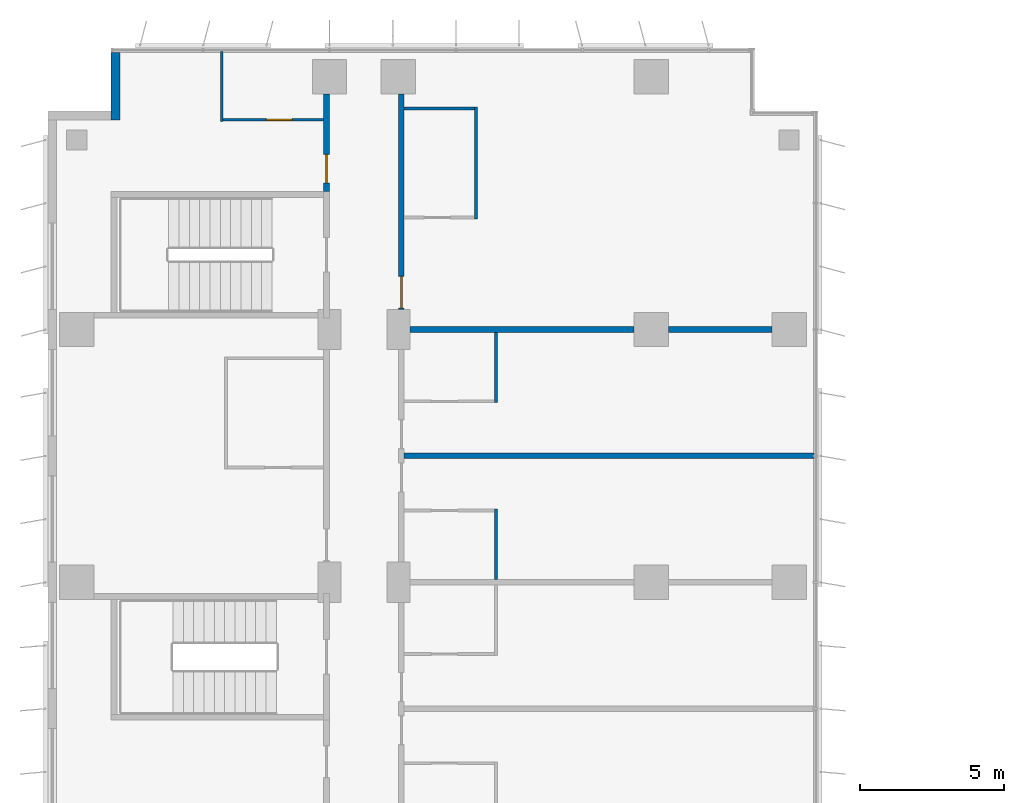
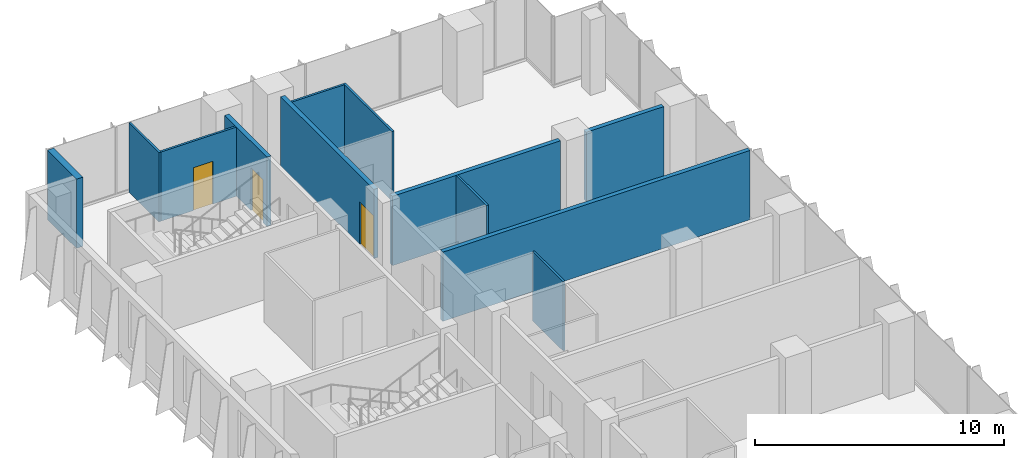
# One storey, part 17 of 22: 12 walls, 3 doors, 3 openings.
"""IFC4 building model written with IfcOpenShell, lengths in metres."""

from ifc_helpers import new_model, si_unit, direction, frame, frame_2d, origin, place, context, subcontext, project, spatial, rectangle, extrude, material, layer, layer_set, type_object, element, fill, save


model = new_model("IFC4")

# Units and contexts
model_context = context("Model", 3, precision=1e-05, world=origin(), true_north=direction((0.0, 1.0)))
body_context = subcontext(model_context, "Body", "Model", "MODEL_VIEW")
ifc_project = project(units=[si_unit("LENGTHUNIT", "METRE"), si_unit("AREAUNIT", "SQUARE_METRE"), si_unit("VOLUMEUNIT", "CUBIC_METRE"), si_unit("PLANEANGLEUNIT", "RADIAN"), si_unit("MASSUNIT", "GRAM", prefix="KILO")], contexts=[model_context])

# Site, building, storey
site_placement = place(None, origin())
site = spatial("IfcSite", under=ifc_project, at=site_placement, CompositionType="ELEMENT")
building_placement = place(site_placement, origin())
building = spatial("IfcBuilding", under=site, at=building_placement, Name="Kemantara Hotel Tower", CompositionType="ELEMENT")
storey_placement = place(building_placement, frame((0.0, 0.0, 90.800048828125)))
storey = spatial("IfcBuildingStorey", under=building, at=storey_placement, Name="L21", CompositionType="ELEMENT", Elevation=90.800048828125)

# Wall
ifc_material_1 = material(Name="Bronze anodised aluminium cladding on insulated steel stud wall", Category="steel")
ifc_layer_1 = layer(ifc_material_1, 0.300048828125)
ifc_layer_set_1 = layer_set([ifc_layer_1], Name="Bronze anodised aluminium cladding on insulated steel stud wall")
wall_type_1 = type_object("IfcWallType", Name="BRONZE METAL-CLAD EXTERNAL WALL 300", PredefinedType="STANDARD", material=ifc_layer_set_1)
wall_1_placement = place(storey_placement, frame((2.35009765625, 81.050048828125, 0.0), z_axis=(0.0, 0.0, 1.0), x_axis=(0.0, -1.0, 0.0)))
element("IfcWall", 1, at=wall_1_placement, inside=storey, type_object=wall_type_1, Name="EXTERNAL WALL L21 T2-R02", PredefinedType="STANDARD", context=body_context, shape_type="SweptSolid", body=[
    extrude(rectangle(XDim=2.35009765625, YDim=0.300048828125, at=frame_2d((1.175048828125, 0.0))), origin(), (0.0, 0.0, 1.0), 3.39990234375),
])

# Wall, opening, door
ifc_material_2 = material(Name="Gypsum board partition, steel studs and mineral wool, 200 mm", Category="steel")
ifc_layer_2 = layer(ifc_material_2, 0.199951171875)
ifc_layer_set_2 = layer_set([ifc_layer_2], Name="Gypsum board partition, steel studs and mineral wool, 200 mm")
wall_type_2 = type_object("IfcWallType", Name="CORRIDOR WALL 200", PredefinedType="PARTITIONING", material=ifc_layer_set_2)
wall_2_placement = place(storey_placement, frame((9.699951171875, 76.199951171875, 0.0), z_axis=(0.0, 0.0, 1.0), x_axis=(0.0, 1.0, 0.0)))
wall_2 = element("IfcWall", 2, at=wall_2_placement, inside=storey, type_object=wall_type_2, Name="CORRIDOR WALL 200 023", PredefinedType="PARTITIONING", context=body_context, shape_type="SweptSolid", body=[
    extrude(rectangle(XDim=3.39990234375, YDim=0.199951171875, at=frame_2d((1.699951171875, 0.0))), origin(), (0.0, 0.0, 1.0), 3.39990234375),
])
opening_1_placement = place(wall_2_placement, frame((0.300048828125, 0.0, 0.0)))
opening_1 = element("IfcOpeningElement", 3, at=opening_1_placement, cuts=wall_2, Name="Opening F08-031", PredefinedType="OPENING", context=body_context, shape_type="SweptSolid", body=[
    extrude(rectangle(XDim=1.0, YDim=2.10009765625, at=frame_2d((0.5, 1.050048828125))), frame((0.0, 0.10986328125, 0.0), z_axis=(0.0, -1.0, 0.0), x_axis=(1.0, 0.0, 0.0)), (0.0, 0.0, 1.0), 0.219970703125),
])
ifc_material_3 = material(Name="Hardwood veneer door leaf with steel frame", Category="steel")
door_type_1 = type_object("IfcDoorType", Name="GUEST ROOM DOOR 1000 X 2100 FD30S", OperationType="NOTDEFINED", PredefinedType="DOOR", material=ifc_material_3)
door_1_placement = place(opening_1_placement, origin())
door_1 = element("IfcDoor", 4, at=door_1_placement, inside=storey, type_object=door_type_1, Name="GUEST ROOM DOOR F08-031", OperationType="SINGLE_SWING_LEFT", OverallHeight=2.10009765625, OverallWidth=1.0, PredefinedType="DOOR", context=body_context, shape_type="SweptSolid", body=[
    extrude(rectangle(XDim=1.0, YDim=2.10009765625, at=frame_2d((0.5, 1.050048828125))), frame((0.0, 0.02490234375, 0.0), z_axis=(0.0, -1.0, 0.0), x_axis=(1.0, 0.0, 0.0)), (0.0, 0.0, 1.0), 0.050048828125),
])
fill(opening_1, door_1)

wall_3_placement = place(storey_placement, frame((12.300048828125, 79.599853515625, 0.0), z_axis=(0.0, 0.0, 1.0), x_axis=(0.0, -1.0, 0.0)))
wall_3 = element("IfcWall", 5, at=wall_3_placement, inside=storey, type_object=wall_type_2, Name="CORRIDOR WALL 200 036", PredefinedType="PARTITIONING", context=body_context, shape_type="SweptSolid", body=[
    extrude(rectangle(XDim=7.499755859375, YDim=0.199951171875, at=frame_2d((3.75, 0.0))), origin(), (0.0, 0.0, 1.0), 3.39990234375),
])
opening_2_placement = place(wall_3_placement, frame((6.349853515625, 0.0, 0.0)))
opening_2 = element("IfcOpeningElement", 6, at=opening_2_placement, cuts=wall_3, Name="Opening F08-049", PredefinedType="OPENING", context=body_context, shape_type="SweptSolid", body=[
    extrude(rectangle(XDim=1.10009765625, YDim=2.10009765625, at=frame_2d((0.550048828125, 1.050048828125))), frame((0.0, 0.10986328125, 0.0), z_axis=(0.0, -1.0, 0.0), x_axis=(1.0, 0.0, 0.0)), (0.0, 0.0, 1.0), 0.219970703125),
])
door_type_2 = type_object("IfcDoorType", Name="SUITE ENTRANCE DOOR 1100 X 2100 FD30S", OperationType="NOTDEFINED", PredefinedType="DOOR", material=ifc_material_3)
door_2_placement = place(opening_2_placement, origin())
door_2 = element("IfcDoor", 7, at=door_2_placement, inside=storey, type_object=door_type_2, Name="SUITE ENTRANCE DOOR F08-049", OperationType="SINGLE_SWING_RIGHT", OverallHeight=2.10009765625, OverallWidth=1.10009765625, PredefinedType="DOOR", context=body_context, shape_type="SweptSolid", body=[
    extrude(rectangle(XDim=1.10009765625, YDim=2.10009765625, at=frame_2d((0.550048828125, 1.050048828125))), frame((0.0, 0.02490234375, 0.0), z_axis=(0.0, -1.0, 0.0), x_axis=(1.0, 0.0, 0.0)), (0.0, 0.0, 1.0), 0.050048828125),
])
fill(opening_2, door_2)

# Walls
ifc_layer_3 = layer(ifc_material_2, 0.199951171875)
ifc_layer_set_3 = layer_set([ifc_layer_3], Name="Gypsum board partition, steel studs and mineral wool, 200 mm")
wall_type_3 = type_object("IfcWallType", Name="GUEST ROOM PARTY WALL 200", PredefinedType="PARTITIONING", material=ifc_layer_set_3)
wall_4_placement = place(storey_placement, frame((12.39990234375, 67.0, 0.0), z_axis=(0.0, 0.0, 1.0), x_axis=(1.0, 0.0, 0.0)))
element("IfcWall", 8, at=wall_4_placement, inside=storey, type_object=wall_type_3, Name="GUEST ROOM PARTY WALL 200 047", PredefinedType="PARTITIONING", context=body_context, shape_type="SweptSolid", body=[
    extrude(rectangle(XDim=14.27001953125, YDim=0.199951171875, at=frame_2d((7.135009765625, 0.0))), origin(), (0.0, 0.0, 1.0), 3.39990234375),
])
wall_5_placement = place(storey_placement, frame((12.60009765625, 71.39990234375, 0.0), z_axis=(0.0, 0.0, 1.0), x_axis=(1.0, 0.0, 0.0)))
element("IfcWall", 9, at=wall_5_placement, inside=storey, type_object=wall_type_3, Name="GUEST ROOM PARTY WALL 200 048", PredefinedType="PARTITIONING", context=body_context, shape_type="SweptSolid", body=[
    extrude(rectangle(XDim=7.7998046875, YDim=0.199951171875, at=frame_2d((3.89990234375, 0.0))), origin(), (0.0, 0.0, 1.0), 3.39990234375),
])
wall_6_placement = place(storey_placement, frame((21.60009765625, 71.39990234375, 0.0), z_axis=(0.0, 0.0, 1.0), x_axis=(1.0, 0.0, 0.0)))
element("IfcWall", 10, at=wall_6_placement, inside=storey, type_object=wall_type_3, Name="GUEST ROOM PARTY WALL 200 049", PredefinedType="PARTITIONING", context=body_context, shape_type="SweptSolid", body=[
    extrude(rectangle(XDim=3.599853515625, YDim=0.199951171875, at=frame_2d((1.7998046875, 0.0))), origin(), (0.0, 0.0, 1.0), 3.39990234375),
])
ifc_material_4 = material(Name="Gypsum board partition on steel studs, 100 mm", Category="steel")
ifc_layer_4 = layer(ifc_material_4, 0.10009765625)
ifc_layer_set_4 = layer_set([ifc_layer_4], Name="Gypsum board partition on steel studs, 100 mm")
wall_type_4 = type_object("IfcWallType", Name="ROOM PARTITION 100", PredefinedType="PARTITIONING", material=ifc_layer_set_4)
wall_7_placement = place(storey_placement, frame((6.050048828125, 78.64990234375, 0.0), z_axis=(0.0, 0.0, 1.0), x_axis=(0.0, 1.0, 0.0)))
element("IfcWall", 11, at=wall_7_placement, inside=storey, type_object=wall_type_4, Name="ROOM PARTITION 100 066", PredefinedType="PARTITIONING", context=body_context, shape_type="SweptSolid", body=[
    extrude(rectangle(XDim=2.420166015625, YDim=0.10009765625, at=frame_2d((1.2099609375, 0.0))), origin(), (0.0, 0.0, 1.0), 3.39990234375),
])

# Wall, opening, door
wall_8_placement = place(storey_placement, frame((6.10009765625, 78.699951171875, 0.0), z_axis=(0.0, 0.0, 1.0), x_axis=(1.0, 0.0, 0.0)))
wall_8 = element("IfcWall", 12, at=wall_8_placement, inside=storey, type_object=wall_type_4, Name="ROOM PARTITION 100 084", PredefinedType="PARTITIONING", context=body_context, shape_type="SweptSolid", body=[
    extrude(rectangle(XDim=3.5, YDim=0.10009765625, at=frame_2d((1.75, 0.0))), origin(), (0.0, 0.0, 1.0), 3.39990234375),
])
opening_3_placement = place(wall_8_placement, frame((1.5, 0.0, 0.0)))
opening_3 = element("IfcOpeningElement", 13, at=opening_3_placement, cuts=wall_8, Name="Opening F08-032", PredefinedType="OPENING", context=body_context, shape_type="SweptSolid", body=[
    extrude(rectangle(XDim=0.89990234375, YDim=2.10009765625, at=frame_2d((0.449951171875, 1.050048828125))), frame((0.0, 0.06005859375, 0.0), z_axis=(0.0, -1.0, 0.0), x_axis=(1.0, 0.0, 0.0)), (0.0, 0.0, 1.0), 0.1201171875),
])
door_type_3 = type_object("IfcDoorType", Name="BATHROOM DOOR 900 X 2100", OperationType="NOTDEFINED", PredefinedType="DOOR", material=ifc_material_3)
door_3_placement = place(opening_3_placement, origin())
door_3 = element("IfcDoor", 14, at=door_3_placement, inside=storey, type_object=door_type_3, Name="BATHROOM DOOR F08-032", OperationType="SINGLE_SWING_RIGHT", OverallHeight=2.10009765625, OverallWidth=0.89990234375, PredefinedType="DOOR", context=body_context, shape_type="SweptSolid", body=[
    extrude(rectangle(XDim=0.89990234375, YDim=2.10009765625, at=frame_2d((0.449951171875, 1.050048828125))), frame((0.0, 0.02490234375, 0.0), z_axis=(0.0, -1.0, 0.0), x_axis=(1.0, 0.0, 0.0)), (0.0, 0.0, 1.0), 0.050048828125),
])
fill(opening_3, door_3)

# Walls
for number, where, z_axis, x_axis, name in (
    (15, (15.60009765625, 62.699951171875, 0.0), (0.0, 0.0, 1.0), (0.0, 1.0, 0.0), "ROOM PARTITION 100 093"),
    (16, (15.60009765625, 68.85009765625, 0.0), (0.0, 0.0, 1.0), (0.0, 1.0, 0.0), "ROOM PARTITION 100 094"),
):
    element("IfcWall", number, at=place(storey_placement, frame(where, z_axis=z_axis, x_axis=x_axis)), inside=storey, type_object=wall_type_4, Name=name, PredefinedType="PARTITIONING", context=body_context, shape_type="SweptSolid", body=[
        extrude(rectangle(XDim=2.449951171875, YDim=0.10009765625, at=frame_2d((1.22509765625, 0.0))), origin(), (0.0, 0.0, 1.0), 3.39990234375),
    ])
wall_9_placement = place(storey_placement, frame((14.89990234375, 75.25, 0.0), z_axis=(0.0, 0.0, 1.0), x_axis=(0.0, 1.0, 0.0)))
element("IfcWall", 17, at=wall_9_placement, inside=storey, type_object=wall_type_4, Name="ROOM PARTITION 100 102", PredefinedType="PARTITIONING", context=body_context, shape_type="SweptSolid", body=[
    extrude(rectangle(XDim=3.89990234375, YDim=0.10009765625, at=frame_2d((1.949951171875, 0.0))), origin(), (0.0, 0.0, 1.0), 3.39990234375),
])
wall_10_placement = place(storey_placement, frame((12.39990234375, 79.10009765625, 0.0), z_axis=(0.0, 0.0, 1.0), x_axis=(1.0, 0.0, 0.0)))
element("IfcWall", 18, at=wall_10_placement, inside=storey, type_object=wall_type_4, Name="ROOM PARTITION 100 104", PredefinedType="PARTITIONING", context=body_context, shape_type="SweptSolid", body=[
    extrude(rectangle(XDim=2.4501953125, YDim=0.10009765625, at=frame_2d((1.22509765625, 0.0))), origin(), (0.0, 0.0, 1.0), 3.39990234375),
])

save(model, "model.ifc")
